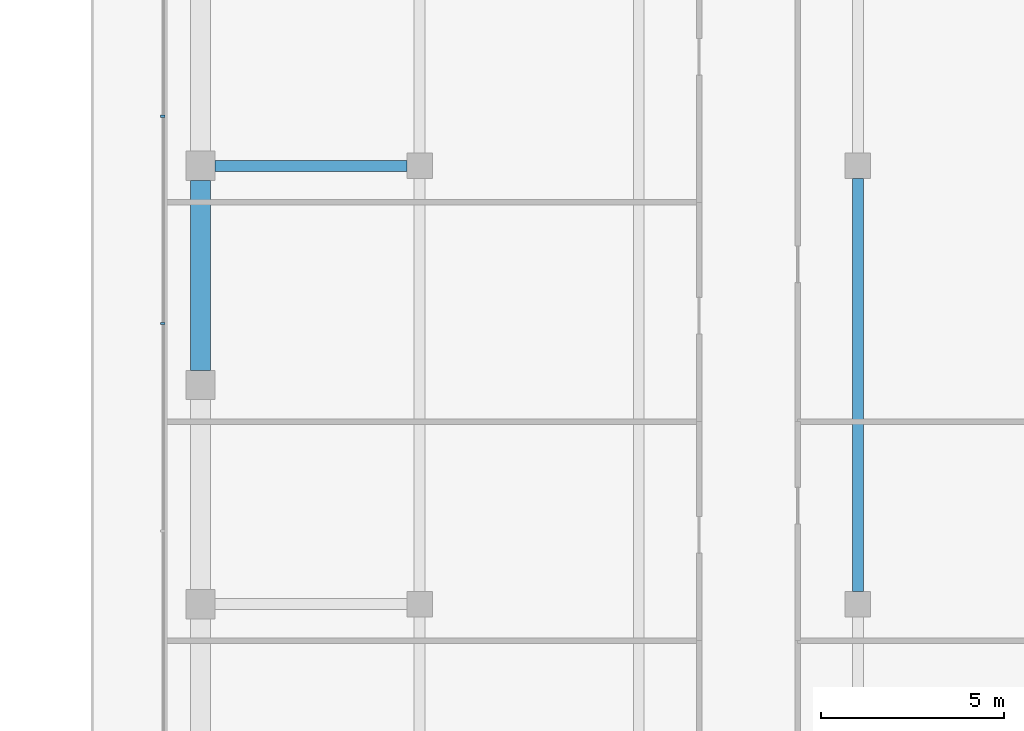
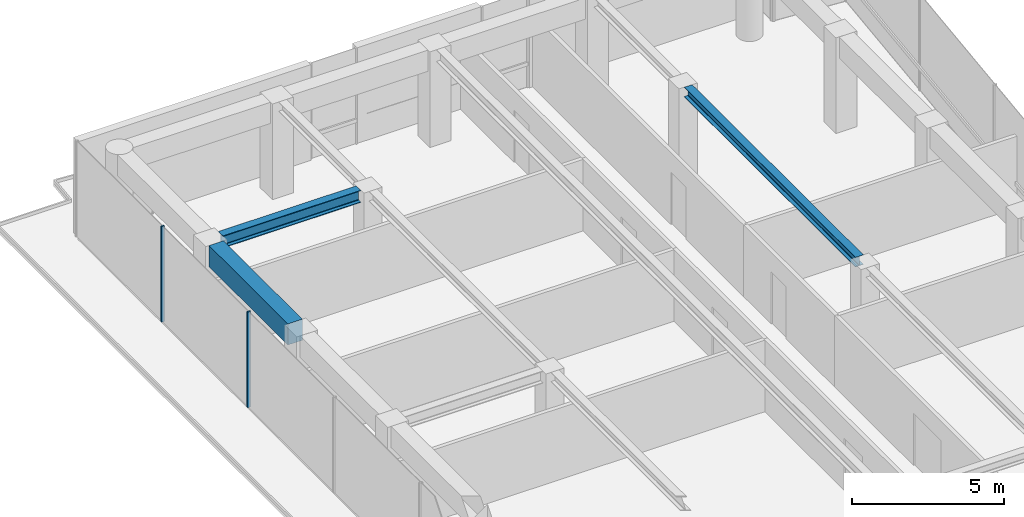
# One storey, part 11 of 23: 3 beams, 2 members, 1 element without a shape of its own.
"""IFC4 building model written with IfcOpenShell, lengths in metres."""

from ifc_helpers import new_model, si_unit, direction, frame, origin, origin_2d, place, context, subcontext, project, spatial, rectangle, i_section, extrude, material, layer, layer_set, material_profile, profile_set, type_object, element, aggregate, save


model = new_model("IFC4")

# Units and contexts
model_context = context("Model", 3, precision=1e-05, world=origin(), true_north=direction((0.0, 1.0)))
body_context = subcontext(model_context, "Body", "Model", "MODEL_VIEW")
ifc_project = project(units=[si_unit("LENGTHUNIT", "METRE"), si_unit("AREAUNIT", "SQUARE_METRE"), si_unit("VOLUMEUNIT", "CUBIC_METRE"), si_unit("PLANEANGLEUNIT", "RADIAN"), si_unit("MASSUNIT", "GRAM", prefix="KILO")], contexts=[model_context])

# Site, building, storey
site_placement = place(None, origin())
site = spatial("IfcSite", under=ifc_project, at=site_placement, CompositionType="ELEMENT")
building_placement = place(site_placement, origin())
building = spatial("IfcBuilding", under=site, at=building_placement, Name="Welwitschia Terrace Campus", CompositionType="ELEMENT")
storey_placement = place(building_placement, frame((0.0, 0.0, 247.39990234375)))
storey = spatial("IfcBuildingStorey", under=building, at=storey_placement, Name="L55", CompositionType="ELEMENT", Elevation=247.39990234375)

# Beam
ifc_material_1 = material(Name="Steel S355", Category="steel")
ifc_material_profile_1 = material_profile(ifc_material_1, i_section(OverallWidth=0.300048828125, OverallDepth=0.389892578125, WebThickness=0.010986328125, FlangeThickness=0.01904296875, FilletRadius=0.027099609375, at=origin_2d()))
ifc_profile_set_1 = profile_set([ifc_material_profile_1], Name="Steel S355")
beam_type_1 = type_object("IfcBeamType", Name="Interior girder HE 400 A", PredefinedType="BEAM", material=ifc_profile_set_1)
beam_1_placement = place(storey_placement, frame((18.0, 52.3505859375, 3.655029296875), z_axis=(0.0, 1.0, 0.0), x_axis=(-1.0, 0.0, 0.0)))
element("IfcBeam", 1, at=beam_1_placement, inside=storey, type_object=beam_type_1, Name="Girder GB5", PredefinedType="BEAM", context=body_context, shape_type="SweptSolid", body=[
    extrude(i_section(OverallWidth=0.300048828125, OverallDepth=0.389892578125, WebThickness=0.010986328125, FlangeThickness=0.01904296875, FilletRadius=0.027099609375, at=origin_2d()), origin(), (0.0, 0.0, 1.0), 11.298828125),
])

# Curtain wall, members
ifc_material_2 = material(Name="Bronze anodised aluminium", Category="aluminium")
ifc_layer = layer(ifc_material_2, 0.1201171875)
ifc_layer_set = layer_set([ifc_layer], Name="Bronze anodised aluminium")
curtain_wall_type = type_object("IfcCurtainWallType", Name="Curtain wall CW2 tower 6000", PredefinedType="NOTDEFINED", material=ifc_layer_set)
curtain_wall_placement = place(storey_placement, origin())
curtain_wall = element("IfcCurtainWall", 2, at=curtain_wall_placement, inside=storey, type_object=curtain_wall_type, Name="CW L55.0.0", PredefinedType="NOTDEFINED")
ifc_material_3 = material(Name="Bronze anodised aluminium", Category="aluminium")
ifc_material_profile_2 = material_profile(ifc_material_3, rectangle(XDim=0.1201171875, YDim=0.06005859375, at=origin_2d()))
ifc_profile_set_2 = profile_set([ifc_material_profile_2], Name="Bronze anodised aluminium")
member_type = type_object("IfcMemberType", Name="Mullion 60x120", PredefinedType="MULLION", material=ifc_profile_set_2)
member_1_placement = place(storey_placement, frame((-1.030029296875, 65.3544921875, 0.0), z_axis=(0.0, 0.0, 1.0), x_axis=(1.0, 0.0, 0.0)))
member_1 = element("IfcMember", 3, at=member_1_placement, type_object=member_type, Name="Mullion L55.0.0.1", PredefinedType="MULLION", context=body_context, shape_type="SweptSolid", body=[
    extrude(rectangle(XDim=0.1201171875, YDim=0.06005859375, at=origin_2d()), origin(), (0.0, 0.0, 1.0), 3.85009765625),
])
member_2_placement = place(storey_placement, frame((-1.030029296875, 59.67919921875, 0.0), z_axis=(0.0, 0.0, 1.0), x_axis=(1.0, 0.0, 0.0)))
member_2 = element("IfcMember", 4, at=member_2_placement, type_object=member_type, Name="Mullion L55.0.0.2", PredefinedType="MULLION", context=body_context, shape_type="SweptSolid", body=[
    extrude(rectangle(XDim=0.1201171875, YDim=0.06005859375, at=origin_2d()), origin(), (0.0, 0.0, 1.0), 3.85009765625),
])
aggregate(curtain_wall, [member_1, member_2])

# Beams
ifc_material_4 = material(Name="Steel S355", Category="steel")
ifc_material_profile_3 = material_profile(ifc_material_4, i_section(OverallWidth=0.300048828125, OverallDepth=0.489990234375, WebThickness=0.011962890625, FlangeThickness=0.02294921875, FilletRadius=0.027099609375, at=origin_2d()))
ifc_profile_set_3 = profile_set([ifc_material_profile_3], Name="Steel S355")
beam_type_2 = type_object("IfcBeamType", Name="Primary beam HE 500 A", PredefinedType="BEAM", material=ifc_profile_set_3)
beam_2_placement = place(storey_placement, frame((0.400390625, 64.0, 3.60498046875), z_axis=(1.0, 0.0, 0.0), x_axis=(0.0, 1.0, 0.0)))
element("IfcBeam", 5, at=beam_2_placement, inside=storey, type_object=beam_type_2, Name="Primary beam PB5", PredefinedType="BEAM", context=body_context, shape_type="SweptSolid", body=[
    extrude(i_section(OverallWidth=0.300048828125, OverallDepth=0.489990234375, WebThickness=0.011962890625, FlangeThickness=0.02294921875, FilletRadius=0.027099609375, at=origin_2d()), origin(), (0.0, 0.0, 1.0), 5.2490234375),
])
ifc_material_5 = material(Name="Concrete C50/60", Category="concrete")
ifc_material_profile_4 = material_profile(ifc_material_5, rectangle(XDim=0.550048828125, YDim=0.85009765625, at=origin_2d()))
ifc_profile_set_4 = profile_set([ifc_material_profile_4], Name="Concrete C50/60")
beam_type_3 = type_object("IfcBeamType", Name="Ring spandrel 550x850", PredefinedType="SPANDREL", material=ifc_profile_set_4)
beam_3_placement = place(storey_placement, frame((0.0, 63.599609375, 3.425048828125), z_axis=(0.0, -1.0, 0.0), x_axis=(1.0, 0.0, 0.0)))
element("IfcBeam", 6, at=beam_3_placement, inside=storey, type_object=beam_type_3, Name="Spandrel SP3", PredefinedType="SPANDREL", context=body_context, shape_type="SweptSolid", body=[
    extrude(rectangle(XDim=0.550048828125, YDim=0.85009765625, at=origin_2d()), origin(), (0.0, 0.0, 1.0), 5.19921875),
])

save(model, "model.ifc")
